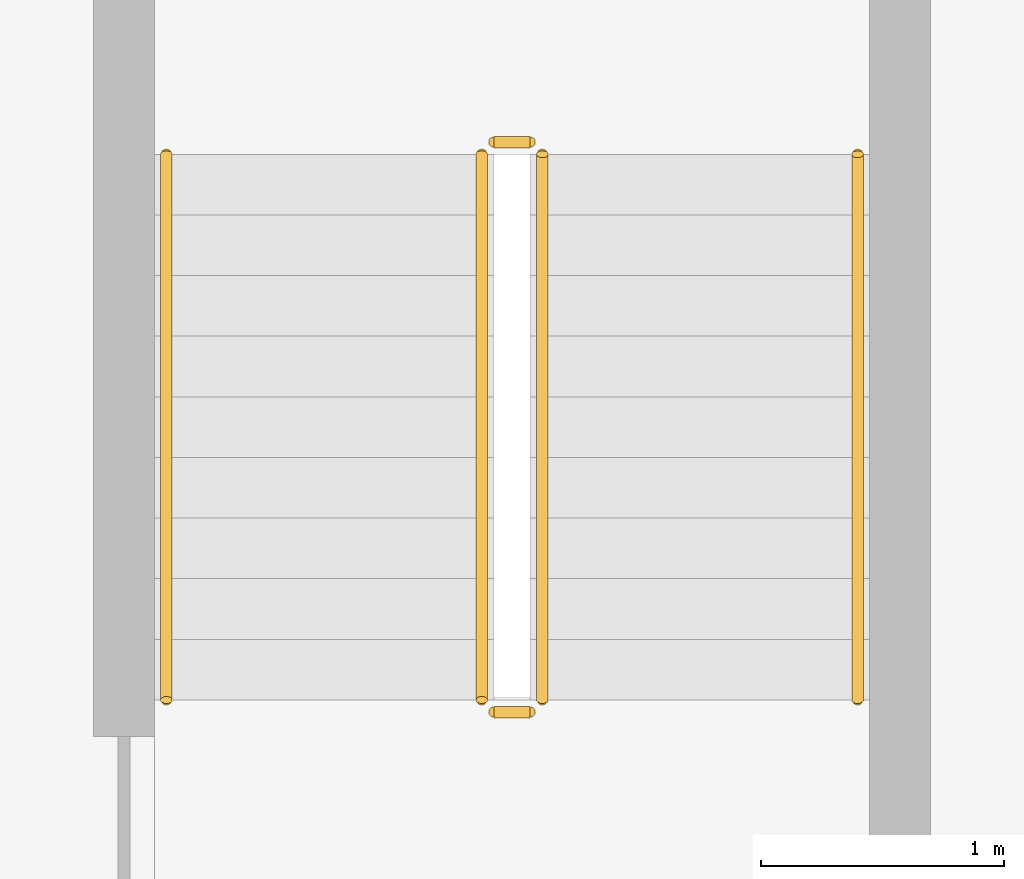
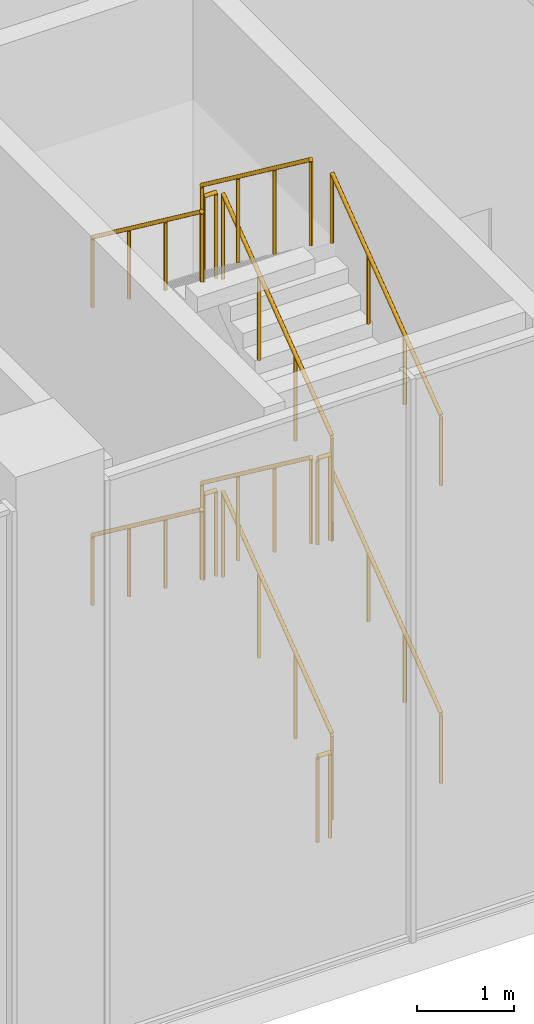
# One storey, part 16 of 18: 12 railings.
"""IFC4 building model written with IfcOpenShell, lengths in metres."""

import ifcopenshell
import ifcopenshell.guid

model = None  # the IFC model being written
_history = None  # IfcOwnerHistory: only IFC2X3 demands one
_inside = {}  # id of a spatial element -> (the spatial element, [elements in it])
_under = {}  # id of a project, library or spatial element -> (it, [spatial elements below it])
_declared = {}  # id of a project -> (the project, [libraries it declares])
_typed = {}  # id of a type object -> (the type object, [elements of that type])
_made_of = {}  # id of a material, layer set ... -> (it, [elements and type objects made of it])


def new_model(schema):
    """Start an empty IFC model of exactly this schema.

    Asked for "IFC4X3", IfcOpenShell would pick the latest addendum, in which some entities
    have other attributes; the version numbers below select the first issue.
    IFC2X3 requires an IfcOwnerHistory on every rooted entity: one is made here for all.
    """
    global model, _history
    if schema == "IFC4X3":
        model = ifcopenshell.file(schema_version=(4, 3, 0, 0))
    else:
        model = ifcopenshell.file(schema=schema)
    _inside.clear()
    _under.clear()
    _declared.clear()
    _typed.clear()
    _made_of.clear()
    _history = None
    if model.schema == "IFC2X3":
        org = make("IfcOrganization", Name="unknown")
        user = make(
            "IfcPersonAndOrganization",
            ThePerson=make("IfcPerson", FamilyName="unknown"),
            TheOrganization=org,
        )
        app = make(
            "IfcApplication",
            ApplicationDeveloper=org,
            Version="unknown",
            ApplicationFullName="unknown",
            ApplicationIdentifier="unknown",
        )
        _history = make(
            "IfcOwnerHistory",
            OwningUser=user,
            OwningApplication=app,
            ChangeAction="ADDED",
            CreationDate=0,
        )
    return model


def make(cls, **values):
    """One entity of the class cls with the attributes given. An attribute that is None is left unset."""
    return model.create_entity(
        cls, **{name: value for name, value in values.items() if value is not None}
    )


def rooted(cls, **values):
    """An entity with a GlobalId (a new one), such as an element, a storey or a relation."""
    return make(cls, GlobalId=ifcopenshell.guid.new(), OwnerHistory=_history, **values)


def si_unit(unit_type, name, prefix=None):
    """IfcSIUnit, for example si_unit("LENGTHUNIT", "METRE", prefix="MILLI")."""
    return make("IfcSIUnit", UnitType=unit_type, Prefix=prefix, Name=name)


def assignment(units):
    """IfcUnitAssignment: the units of a project."""
    return None if units is None else make("IfcUnitAssignment", Units=units)


def point(xyz):
    """IfcCartesianPoint."""
    return None if xyz is None else make("IfcCartesianPoint", Coordinates=xyz)


def direction(xyz):
    """IfcDirection."""
    return None if xyz is None else make("IfcDirection", DirectionRatios=xyz)


def frame(location, z_axis=None, x_axis=None):
    """IfcAxis2Placement3D, a coordinate frame: its origin and axes. An axis left out is left unset."""
    return make(
        "IfcAxis2Placement3D",
        Location=point(location),
        Axis=direction(z_axis),
        RefDirection=direction(x_axis),
    )


def frame_2d(location, x_axis=None):
    """IfcAxis2Placement2D, a coordinate frame in the plane: its origin and x axis."""
    return make(
        "IfcAxis2Placement2D", Location=point(location), RefDirection=direction(x_axis)
    )


def origin():
    """The frame at (0, 0, 0) with its axes left unset."""
    return frame((0.0, 0.0, 0.0))


def origin_2d():
    """The frame at (0, 0) in the plane with its x axis left unset."""
    return frame_2d((0.0, 0.0))


def place(relative_to, where):
    """IfcLocalPlacement: puts the frame where relative to a parent placement (None: the world)."""
    return make(
        "IfcLocalPlacement", PlacementRelTo=relative_to, RelativePlacement=where
    )


def context(
    kind, dimensions, precision=None, world=None, true_north=None, identifier=None
):
    """IfcGeometricRepresentationContext, for example the 3D "Model" context."""
    return make(
        "IfcGeometricRepresentationContext",
        ContextIdentifier=identifier,
        ContextType=kind,
        CoordinateSpaceDimension=dimensions,
        Precision=precision,
        WorldCoordinateSystem=world,
        TrueNorth=true_north,
    )


def subcontext(parent, identifier, kind, view, scale=None):
    """IfcGeometricRepresentationSubContext, for example "Body" below "Model"."""
    return make(
        "IfcGeometricRepresentationSubContext",
        ContextIdentifier=identifier,
        ContextType=kind,
        ParentContext=parent,
        TargetScale=scale,
        TargetView=view,
    )


def project(units=None, contexts=None):
    """IfcProject with its units and contexts."""
    return rooted(
        "IfcProject",
        Name="project",
        RepresentationContexts=contexts,
        UnitsInContext=assignment(units),
    )


def spatial(cls, under=None, at=None, **own):
    """A site, building, storey or space (cls), placed at a placement, below another one or the project."""
    s = rooted(cls, ObjectPlacement=at, **own)
    if under is not None:
        _under.setdefault(under.id(), (under, []))[1].append(s)
    return s


def profile(cls, at=None, kind="AREA", **sizes):
    """A parametric profile (cls). Its sizes go by their IFC names, for example OverallWidth=200.0."""
    return make(cls, ProfileType=kind, Position=at, **sizes)


def circle(**sizes):
    """IfcCircleProfileDef."""
    return profile("IfcCircleProfileDef", **sizes)


def extrude(swept, where, along, depth):
    """IfcExtrudedAreaSolid: the profile swept, set in the frame where, extruded along a direction by depth."""
    return make(
        "IfcExtrudedAreaSolid",
        SweptArea=swept,
        Position=where,
        ExtrudedDirection=direction(along),
        Depth=depth,
    )


def shape(context_of_items, identifier, shape_type, items):
    """IfcShapeRepresentation: the items that make up one representation, for example the "Body"."""
    return make(
        "IfcShapeRepresentation",
        ContextOfItems=context_of_items,
        RepresentationIdentifier=identifier,
        RepresentationType=shape_type,
        Items=items,
    )


def source(mapping_origin, context_of_items, identifier, shape_type, items):
    """IfcRepresentationMap: a shape defined once, which mapped items show again and again."""
    return make(
        "IfcRepresentationMap",
        MappingOrigin=mapping_origin,
        MappedRepresentation=shape(context_of_items, identifier, shape_type, items),
    )


def transform(
    local_origin,
    x_axis=None,
    y_axis=None,
    z_axis=None,
    scale=None,
    scale2=None,
    scale3=None,
    uniform=True,
):
    """IfcCartesianTransformationOperator3D, or its non-uniform kind. x_axis, y_axis, z_axis: its Axis1, 2, 3."""
    if uniform:
        return make(
            "IfcCartesianTransformationOperator3D",
            Axis1=direction(x_axis),
            Axis2=direction(y_axis),
            LocalOrigin=point(local_origin),
            Scale=scale,
            Axis3=direction(z_axis),
        )
    return make(
        "IfcCartesianTransformationOperator3DnonUniform",
        Axis1=direction(x_axis),
        Axis2=direction(y_axis),
        LocalOrigin=point(local_origin),
        Scale=scale,
        Axis3=direction(z_axis),
        Scale2=scale2,
        Scale3=scale3,
    )


def mapped(mapping_source, mapping_target):
    """IfcMappedItem: shows the shape of a source again, moved by a transform."""
    return make(
        "IfcMappedItem", MappingSource=mapping_source, MappingTarget=mapping_target
    )


def material(Name=None, Category=None):
    """IfcMaterial."""
    return make("IfcMaterial", Name=Name, Category=Category)


def made_of(thing, what):
    """Note that an element or type object is made of a material, layer set ...; save() writes the relation."""
    if what is not None:
        _made_of.setdefault(what.id(), (what, []))[1].append(thing)
    return thing


def type_object(cls, material=None, **own):
    """A type object (cls), such as IfcWallType, which elements share."""
    return made_of(rooted(cls, **own), material)


def element(
    cls,
    number,
    at=None,
    inside=None,
    cuts=None,
    type_object=None,
    material=None,
    context=None,
    identifier="Body",
    shape_type=None,
    held_by="IfcProductDefinitionShape",
    body=None,
    shapes=None,
    **own,
):
    """One element of the class cls, such as IfcWall. Its Tag is "e" and its number.

    at: its placement. inside: the storey or other place that contains it. cuts: it is an
    opening in that element (IfcRelVoidsElement). A single representation is given by context,
    identifier, shape_type and body (its items); several are given by shapes. held_by: the class
    of the entity that holds the representations. save() writes the other relations.
    """
    e = rooted(cls, Tag="e%d" % number, ObjectPlacement=at, **own)
    if body is not None:
        shapes = [shape(context, identifier, shape_type, body)]
    if shapes is not None:
        e.Representation = make(held_by, Representations=shapes)
    if inside is not None:
        _inside.setdefault(inside.id(), (inside, []))[1].append(e)
    if cuts is not None:
        rooted(
            "IfcRelVoidsElement", RelatingBuildingElement=cuts, RelatedOpeningElement=e
        )
    if type_object is not None:
        _typed.setdefault(type_object.id(), (type_object, []))[1].append(e)
    return made_of(e, material)


def aggregate(whole, parts):
    """IfcRelAggregates: a whole, such as a stair, and the parts it consists of."""
    return rooted("IfcRelAggregates", RelatingObject=whole, RelatedObjects=parts)


def save(model, path):
    """Write the relations noted so far, then the file.

    IfcRelAggregates (storeys below a building ...), IfcRelContainedInSpatialStructure (elements
    in a storey), IfcRelDefinesByType, IfcRelAssociatesMaterial and IfcRelDeclares: one each for
    every whole, place, type object, material and project.
    """
    for whole, parts in _under.values():
        aggregate(whole, parts)
    for where, things in _inside.values():
        rooted(
            "IfcRelContainedInSpatialStructure",
            RelatedElements=things,
            RelatingStructure=where,
        )
    for kind, things in _typed.values():
        rooted("IfcRelDefinesByType", RelatedObjects=things, RelatingType=kind)
    for what, things in _made_of.values():
        rooted("IfcRelAssociatesMaterial", RelatedObjects=things, RelatingMaterial=what)
    for by, libraries in _declared.values():
        rooted("IfcRelDeclares", RelatingContext=by, RelatedDefinitions=libraries)
    model.write(path)


model = new_model("IFC4")

# Units and contexts
model_context = context("Model", 3, precision=1e-05, world=origin(), true_north=direction((0.0, 1.0)))
body_context = subcontext(model_context, "Body", "Model", "MODEL_VIEW")
ifc_project = project(units=[si_unit("LENGTHUNIT", "METRE"), si_unit("AREAUNIT", "SQUARE_METRE"), si_unit("VOLUMEUNIT", "CUBIC_METRE"), si_unit("PLANEANGLEUNIT", "RADIAN"), si_unit("MASSUNIT", "GRAM", prefix="KILO")], contexts=[model_context])

# Site, building, storey
site_placement = place(None, origin())
site = spatial("IfcSite", under=ifc_project, at=site_placement, CompositionType="ELEMENT")
building_placement = place(site_placement, origin())
building = spatial("IfcBuilding", under=site, at=building_placement, Name="Aurelian Terraces", CompositionType="ELEMENT")
storey_placement = place(building_placement, frame((0.0, 0.0, 170.3)))
storey = spatial("IfcBuildingStorey", under=building, at=storey_placement, Name="L37", CompositionType="ELEMENT", Elevation=170.3)

# Railings
ifc_material = material(Name="Stainless steel", Category="steel")
railing_type_1 = type_object("IfcRailingType", Name="Stair guard 1100", PredefinedType="GUARDRAIL", material=ifc_material)
shared_shape_1 = source(origin(), body_context, "Body", "SweptSolid", [
    extrude(circle(Radius=0.024, at=origin_2d()), frame((0.0, 0.0, 1.076), z_axis=(-1.0, 0.0, 0.0), x_axis=(0.0, -1.0, 0.0)), (0.0, 0.0, 1.0), 0.15),
    extrude(circle(Radius=0.021, at=origin_2d()), origin(), (0.0, 0.0, 1.0), 1.052),
    extrude(circle(Radius=0.021, at=origin_2d()), frame((-0.15, 0.0, 0.0)), (0.0, 0.0, 1.0), 1.052),
])
for number, where, name in (
    (1, (42.2, 4.4, 1.875), "L37 S2 stair guard 2"),
    (2, (42.2, 2.05, 3.75), "L37 S2 stair guard 4"),
    (3, (42.2, 4.4, 5.625), "L37 S2 stair guard 6"),
    (4, (42.2, 2.05, 0.0), "L37 S2 stair guard 8"),
):
    element("IfcRailing", number, at=place(storey_placement, frame(where)), inside=storey, type_object=railing_type_1, Name=name, PredefinedType="GUARDRAIL", context=body_context, shape_type="MappedRepresentation", body=[
        mapped(shared_shape_1, transform((0.0, 0.0, 0.0), scale=1.0)),
    ])
shared_shape_2 = source(origin(), body_context, "Body", "SweptSolid", [
    extrude(circle(Radius=0.024, at=origin_2d()), frame((0.0, 0.0, 1.076), z_axis=(0.0, 0.8, 0.6), x_axis=(-1.0, 0.0, 0.0)), (0.0, 0.0, 1.0), 2.8125),
    extrude(circle(Radius=0.021, at=origin_2d()), origin(), (0.0, 0.0, 1.0), 1.052),
    extrude(circle(Radius=0.021, at=origin_2d()), frame((0.0, 0.75, 0.5625)), (0.0, 0.0, 1.0), 1.052),
    extrude(circle(Radius=0.021, at=origin_2d()), frame((0.0, 1.5, 1.125)), (0.0, 0.0, 1.0), 1.052),
    extrude(circle(Radius=0.021, at=origin_2d()), frame((0.0, 2.25, 1.6875)), (0.0, 0.0, 1.0), 1.052),
])
for number, where, name in (
    (5, (42.25, 2.1, 0.1875), "L37 S2 stair guard 1"),
    (6, (42.25, 2.1, 3.9375), "L37 S2 stair guard 5"),
):
    element("IfcRailing", number, at=place(storey_placement, frame(where)), inside=storey, type_object=railing_type_1, Name=name, PredefinedType="GUARDRAIL", context=body_context, shape_type="MappedRepresentation", body=[
        mapped(shared_shape_2, transform((0.0, 0.0, 0.0), scale=1.0)),
    ])
shared_shape_3 = source(origin(), body_context, "Body", "SweptSolid", [
    extrude(circle(Radius=0.024, at=origin_2d()), frame((0.0, 0.0, 1.076), z_axis=(0.0, -0.8, 0.6), x_axis=(1.0, 0.0, 0.0)), (0.0, 0.0, 1.0), 2.8125),
    extrude(circle(Radius=0.021, at=origin_2d()), origin(), (0.0, 0.0, 1.0), 1.052),
    extrude(circle(Radius=0.021, at=origin_2d()), frame((0.0, -0.75, 0.5625)), (0.0, 0.0, 1.0), 1.052),
    extrude(circle(Radius=0.021, at=origin_2d()), frame((0.0, -1.5, 1.125)), (0.0, 0.0, 1.0), 1.052),
    extrude(circle(Radius=0.021, at=origin_2d()), frame((0.0, -2.25, 1.6875)), (0.0, 0.0, 1.0), 1.052),
])
for number, where, name in (
    (7, (42.0, 4.35, 2.0625), "L37 S2 stair guard 3"),
    (8, (42.0, 4.35, 5.8125), "L37 S2 stair guard 7"),
):
    element("IfcRailing", number, at=place(storey_placement, frame(where)), inside=storey, type_object=railing_type_1, Name=name, PredefinedType="GUARDRAIL", context=body_context, shape_type="MappedRepresentation", body=[
        mapped(shared_shape_3, transform((0.0, 0.0, 0.0), scale=1.0)),
    ])
railing_type_2 = type_object("IfcRailingType", Name="Stair handrail", PredefinedType="HANDRAIL", material=ifc_material)
shared_shape_4 = source(origin(), body_context, "Body", "SweptSolid", [
    extrude(circle(Radius=0.024, at=origin_2d()), frame((0.0, 0.0, 0.876), z_axis=(0.0, 0.8, 0.6), x_axis=(-1.0, 0.0, 0.0)), (0.0, 0.0, 1.0), 2.8125),
    extrude(circle(Radius=0.021, at=origin_2d()), origin(), (0.0, 0.0, 1.0), 0.852),
    extrude(circle(Radius=0.021, at=origin_2d()), frame((0.0, 0.75, 0.5625)), (0.0, 0.0, 1.0), 0.852),
    extrude(circle(Radius=0.021, at=origin_2d()), frame((0.0, 1.5, 1.125)), (0.0, 0.0, 1.0), 0.852),
    extrude(circle(Radius=0.021, at=origin_2d()), frame((0.0, 2.25, 1.6875)), (0.0, 0.0, 1.0), 0.852),
])
for number, where, name in (
    (9, (43.55, 2.1, 0.1875), "L37 S2 stair handrail 1"),
    (10, (43.55, 2.1, 3.9375), "L37 S2 stair handrail 3"),
):
    element("IfcRailing", number, at=place(storey_placement, frame(where)), inside=storey, type_object=railing_type_2, Name=name, PredefinedType="HANDRAIL", context=body_context, shape_type="MappedRepresentation", body=[
        mapped(shared_shape_4, transform((0.0, 0.0, 0.0), scale=1.0)),
    ])
shared_shape_5 = source(origin(), body_context, "Body", "SweptSolid", [
    extrude(circle(Radius=0.024, at=origin_2d()), frame((0.0, 0.0, 0.876), z_axis=(0.0, -0.8, 0.6), x_axis=(1.0, 0.0, 0.0)), (0.0, 0.0, 1.0), 2.8125),
    extrude(circle(Radius=0.021, at=origin_2d()), origin(), (0.0, 0.0, 1.0), 0.852),
    extrude(circle(Radius=0.021, at=origin_2d()), frame((0.0, -0.75, 0.5625)), (0.0, 0.0, 1.0), 0.852),
    extrude(circle(Radius=0.021, at=origin_2d()), frame((0.0, -1.5, 1.125)), (0.0, 0.0, 1.0), 0.852),
    extrude(circle(Radius=0.021, at=origin_2d()), frame((0.0, -2.25, 1.6875)), (0.0, 0.0, 1.0), 0.852),
])
for number, where, name in (
    (11, (40.7, 4.35, 2.0625), "L37 S2 stair handrail 2"),
    (12, (40.7, 4.35, 5.8125), "L37 S2 stair handrail 4"),
):
    element("IfcRailing", number, at=place(storey_placement, frame(where)), inside=storey, type_object=railing_type_2, Name=name, PredefinedType="HANDRAIL", context=body_context, shape_type="MappedRepresentation", body=[
        mapped(shared_shape_5, transform((0.0, 0.0, 0.0), scale=1.0)),
    ])

save(model, "model.ifc")
